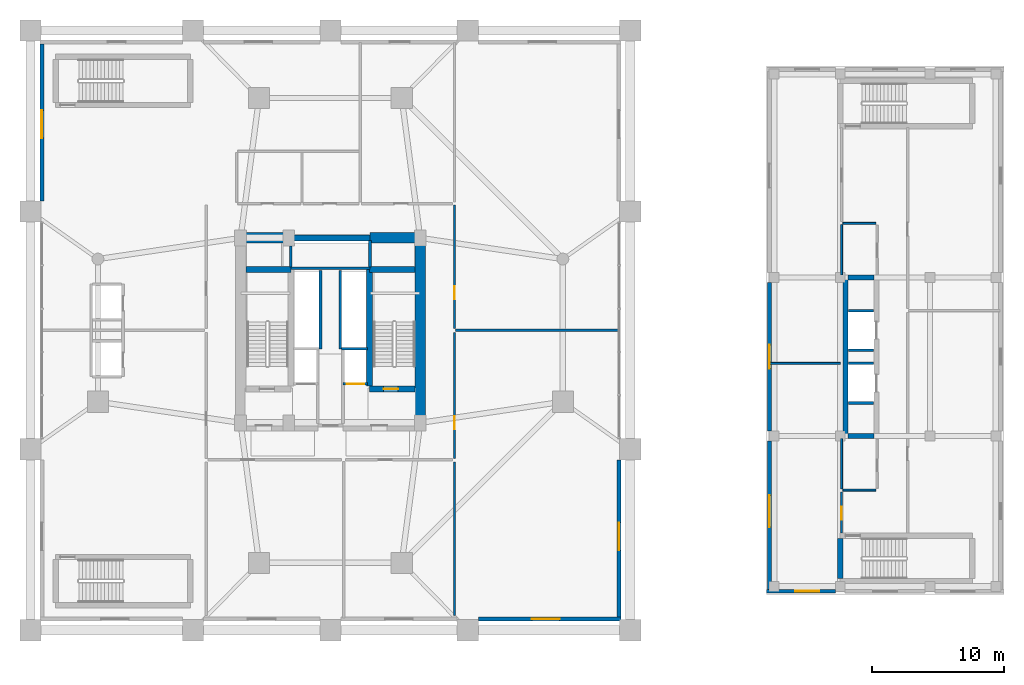
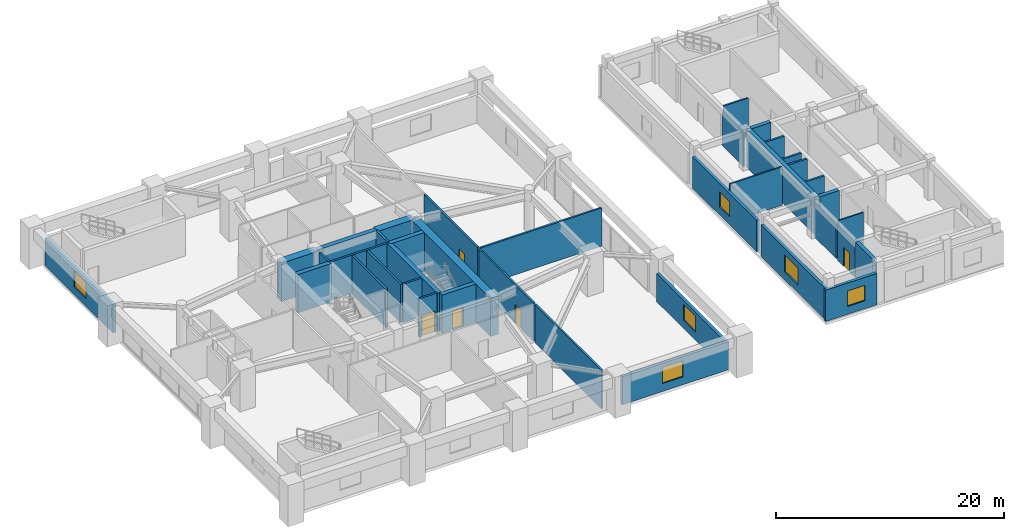
# One storey, part 15 of 22: 39 walls, 6 windows, 5 doors, 11 openings.
"""IFC4 building model written with IfcOpenShell, lengths in metres."""

from ifc_helpers import new_model, si_unit, direction, frame, frame_2d, origin, place, context, subcontext, project, spatial, rectangle, extrude, source, transform, mapped, material, layer, layer_set, type_object, element, fill, save


model = new_model("IFC4")

# Units and contexts
model_context = context("Model", 3, precision=1e-05, world=origin(), true_north=direction((0.0, 1.0)))
body_context = subcontext(model_context, "Body", "Model", "MODEL_VIEW")
ifc_project = project(units=[si_unit("LENGTHUNIT", "METRE"), si_unit("AREAUNIT", "SQUARE_METRE"), si_unit("VOLUMEUNIT", "CUBIC_METRE"), si_unit("PLANEANGLEUNIT", "RADIAN"), si_unit("MASSUNIT", "GRAM", prefix="KILO")], contexts=[model_context])

# Site, building, storey
site_placement = place(None, origin())
site = spatial("IfcSite", under=ifc_project, at=site_placement, CompositionType="ELEMENT")
building_placement = place(site_placement, origin())
building = spatial("IfcBuilding", under=site, at=building_placement, Name="Veraguas Prism Commons", CompositionType="ELEMENT")
storey_placement = place(building_placement, frame((0.0, 0.0, 5.199951171875)))
storey = spatial("IfcBuildingStorey", under=building, at=storey_placement, Name="L01", CompositionType="ELEMENT", Elevation=5.199951171875)

# Walls
ifc_material_1 = material(Name="Concrete C50/60", Category="concrete")
ifc_layer_1 = layer(ifc_material_1, 0.39990234375, Name="Clinic and Mid Core Shear Wall RC 400", Category="concrete")
ifc_layer_set_1 = layer_set([ifc_layer_1], Name="Concrete C50/60")
wall_type_1 = type_object("IfcWallType", Name="Clinic and Mid Core Shear Wall RC 400", PredefinedType="SHEAR", material=ifc_layer_set_1)
wall_1_placement = place(storey_placement, frame((63.0, 16.0, 0.0), z_axis=(0.0, 0.0, 1.0), x_axis=(0.0, 1.0, 0.0)))
element("IfcWall", 1, at=wall_1_placement, inside=storey, type_object=wall_type_1, Name="Health Centre Core West Shear Wall L01", PredefinedType="SHEAR", context=body_context, shape_type="SweptSolid", body=[
    extrude(rectangle(XDim=12.0, YDim=0.39990234375, at=frame_2d((6.0, 0.0))), origin(), (0.0, 0.0, 1.0), 4.10009765625),
])
for number, where, z_axis, x_axis, name in (
    (2, (63.199951171875, 16.0, 0.0), (0.0, 0.0, 1.0), (1.0, 0.0, 0.0), "Health Centre Core South Wall L01"),
    (3, (63.199951171875, 28.0, 0.0), (0.0, 0.0, 1.0), (1.0, 0.0, 0.0), "Health Centre Core North Wall L01"),
):
    element("IfcWall", number, at=place(storey_placement, frame(where, z_axis=z_axis, x_axis=x_axis)), inside=storey, type_object=wall_type_1, Name=name, PredefinedType="SHEAR", context=body_context, shape_type="SweptSolid", body=[
        extrude(rectangle(XDim=1.949951171875, YDim=0.39990234375, at=frame_2d((0.97509765625, 0.0))), origin(), (0.0, 0.0, 1.0), 4.10009765625),
    ])
wall_2_placement = place(storey_placement, frame((62.60009765625, 5.199951171875, 0.0), z_axis=(0.0, 0.0, 1.0), x_axis=(0.0, 1.0, 0.0)))
element("IfcWall", 4, at=wall_2_placement, inside=storey, type_object=wall_type_1, Name="ST-H1 West Shear Wall L01", PredefinedType="SHEAR", context=body_context, shape_type="SweptSolid", body=[
    extrude(rectangle(XDim=3.050048828125, YDim=0.39990234375, at=frame_2d((1.52490234375, 0.0))), origin(), (0.0, 0.0, 1.0), 4.10009765625),
])
ifc_material_2 = material(Name="Concrete C60/75", Category="concrete")
ifc_layer_2 = layer(ifc_material_2, 0.449951171875, Name="Core Internal Shear Wall Lower RC 450", Category="concrete")
ifc_layer_set_2 = layer_set([ifc_layer_2], Name="Concrete C60/75")
wall_type_2 = type_object("IfcWallType", Name="Core Internal Shear Wall Lower RC 450", PredefinedType="SHEAR", material=ifc_layer_set_2)
wall_3_placement = place(storey_placement, frame((21.0, 31.0, 0.0), z_axis=(0.0, 0.0, 1.0), x_axis=(1.0, 0.0, 0.0)))
element("IfcWall", 5, at=wall_3_placement, inside=storey, type_object=wall_type_2, Name="High-Rise Lift Bank Front Shear Wall L01", PredefinedType="SHEAR", context=body_context, shape_type="SweptSolid", body=[
    extrude(rectangle(XDim=6.0, YDim=0.449951171875, at=frame_2d((3.0, 0.0))), origin(), (0.0, 0.0, 1.0), 4.10009765625),
])

# Wall, opening, door
wall_4_placement = place(storey_placement, frame((26.97509765625, 19.574951171875, 0.0), z_axis=(0.0, 0.0, 1.0), x_axis=(1.0, 0.0, 0.0)))
wall_4 = element("IfcWall", 6, at=wall_4_placement, inside=storey, type_object=wall_type_2, Name="Stair ST-02 South Shear Wall L01", PredefinedType="SHEAR", context=body_context, shape_type="SweptSolid", body=[
    extrude(rectangle(XDim=3.4248046875, YDim=0.449951171875, at=frame_2d((1.71240234375, 0.0))), origin(), (0.0, 0.0, 1.0), 4.10009765625),
])
opening_1_placement = place(wall_4_placement, frame((1.050048828125, 0.0, 0.0)))
opening_1 = element("IfcOpeningElement", 7, at=opening_1_placement, cuts=wall_4, Name="Opening DR-05", PredefinedType="OPENING", context=body_context, shape_type="SweptSolid", body=[
    extrude(rectangle(XDim=1.10009765625, YDim=2.030029296875, at=frame_2d((0.550048828125, 1.01513671875))), frame((0.0, 0.23486328125, 0.0), z_axis=(0.0, -1.0, 0.0), x_axis=(1.0, 0.0, 0.0)), (0.0, 0.0, 1.0), 0.469970703125),
])
ifc_material_3 = material(Name="Steel fire-rated door assembly", Category="steel")
door_type_1 = type_object("IfcDoorType", Name="Protected Stair and Refuge Fire Door 1100x2030", OperationType="NOTDEFINED", PredefinedType="DOOR", material=ifc_material_3)
shared_shape_1 = source(origin(), body_context, "Body", "SweptSolid", [
    extrude(rectangle(XDim=1.10009765625, YDim=2.030029296875, at=frame_2d((0.550048828125, 1.01513671875))), frame((0.0, 0.02490234375, 0.0), z_axis=(0.0, -1.0, 0.0), x_axis=(1.0, 0.0, 0.0)), (0.0, 0.0, 1.0), 0.050048828125),
])
door_1_placement = place(opening_1_placement, origin())
door_1 = element("IfcDoor", 8, at=door_1_placement, inside=storey, type_object=door_type_1, Name="Stair ST-02 Enclosure Door L01", OperationType="SINGLE_SWING_RIGHT", OverallHeight=2.030029296875, OverallWidth=1.10009765625, PredefinedType="DOOR", context=body_context, shape_type="MappedRepresentation", body=[
    mapped(shared_shape_1, transform((0.0, 0.0, 0.0), scale=1.0)),
])
fill(opening_1, door_1)

# Walls
wall_5_placement = place(storey_placement, frame((26.97509765625, 19.800048828125, 0.0), z_axis=(0.0, 0.0, 1.0), x_axis=(0.0, 1.0, 0.0)))
element("IfcWall", 9, at=wall_5_placement, inside=storey, type_object=wall_type_2, Name="Stair ST-02 Inner Shear Wall L01", PredefinedType="SHEAR", context=body_context, shape_type="SweptSolid", body=[
    extrude(rectangle(XDim=8.824951171875, YDim=0.449951171875, at=frame_2d((4.41259765625, 0.0))), origin(), (0.0, 0.0, 1.0), 4.10009765625),
])
for number, where, z_axis, x_axis, name in (
    (10, (17.60009765625, 28.625, 0.0), (0.0, 0.0, 1.0), (1.0, 0.0, 0.0), "Stair ST-01 North Shear Wall L01"),
    (11, (26.97509765625, 28.625, 0.0), (0.0, 0.0, 1.0), (1.0, 0.0, 0.0), "Stair ST-02 North Shear Wall L01"),
):
    element("IfcWall", number, at=place(storey_placement, frame(where, z_axis=z_axis, x_axis=x_axis)), inside=storey, type_object=wall_type_2, Name=name, PredefinedType="SHEAR", context=body_context, shape_type="SweptSolid", body=[
        extrude(rectangle(XDim=3.4248046875, YDim=0.449951171875, at=frame_2d((1.71240234375, 0.0))), origin(), (0.0, 0.0, 1.0), 4.10009765625),
    ])
ifc_layer_3 = layer(ifc_material_2, 0.800048828125, Name="Core Outer Shear Wall Lower RC 800", Category="concrete")
ifc_layer_set_3 = layer_set([ifc_layer_3], Name="Concrete C60/75")
wall_type_3 = type_object("IfcWallType", Name="Core Outer Shear Wall Lower RC 800", PredefinedType="SHEAR", material=ifc_layer_set_3)
wall_6_placement = place(storey_placement, frame((30.800048828125, 16.800048828125, 0.0), z_axis=(0.0, 0.0, 1.0), x_axis=(0.0, 1.0, 0.0)))
element("IfcWall", 12, at=wall_6_placement, inside=storey, type_object=wall_type_3, Name="Central Core East Shear Wall L01", PredefinedType="SHEAR", context=body_context, shape_type="SweptSolid", body=[
    extrude(rectangle(XDim=14.199951171875, YDim=0.800048828125, at=frame_2d((7.10009765625, 0.0))), origin(), (0.0, 0.0, 1.0), 4.10009765625),
])
for number, where, z_axis, x_axis, name in (
    (13, (17.199951171875, 31.0, 0.0), (0.0, 0.0, 1.0), (1.0, 0.0, 0.0), "Central Core North-West Shear Wall L01"),
    (14, (27.0, 31.0, 0.0), (0.0, 0.0, 1.0), (1.0, 0.0, 0.0), "Central Core North-East Shear Wall L01"),
):
    element("IfcWall", number, at=place(storey_placement, frame(where, z_axis=z_axis, x_axis=x_axis)), inside=storey, type_object=wall_type_3, Name=name, PredefinedType="SHEAR", context=body_context, shape_type="SweptSolid", body=[
        extrude(rectangle(XDim=3.800048828125, YDim=0.800048828125, at=frame_2d((1.89990234375, 0.0))), origin(), (0.0, 0.0, 1.0), 4.10009765625),
    ])
ifc_material_4 = material(Name="Autoclaved aerated masonry block 10 MPa", Category="masonry")
ifc_layer_4 = layer(ifc_material_4, 0.179931640625, Name="Corridor and Inter-Tenancy Partition 180", Category="masonry")
ifc_layer_set_4 = layer_set([ifc_layer_4], Name="Autoclaved aerated masonry block 10 MPa")
wall_type_4 = type_object("IfcWallType", Name="Corridor and Inter-Tenancy Partition 180", PredefinedType="PARTITIONING", material=ifc_layer_set_4)
wall_7_placement = place(storey_placement, frame((33.39990234375, 2.39990234375, 0.0), z_axis=(0.0, 0.0, 1.0), x_axis=(0.0, 1.0, 0.0)))
element("IfcWall", 15, at=wall_7_placement, inside=storey, type_object=wall_type_4, Name="WL-L01-PDPT06E", PredefinedType="PARTITIONING", context=body_context, shape_type="SweptSolid", body=[
    extrude(rectangle(XDim=11.650146484375, YDim=0.179931640625, at=frame_2d((5.8251953125, 0.0))), origin(), (0.0, 0.0, 1.0), 4.10009765625),
])

# Wall, opening, door
wall_8_placement = place(storey_placement, frame((33.39990234375, 14.300048828125, 0.0), z_axis=(0.0, 0.0, 1.0), x_axis=(0.0, 1.0, 0.0)))
wall_8 = element("IfcWall", 16, at=wall_8_placement, inside=storey, type_object=wall_type_4, Name="WL-L01-PDPT07", PredefinedType="PARTITIONING", context=body_context, shape_type="SweptSolid", body=[
    extrude(rectangle(XDim=9.550048828125, YDim=0.179931640625, at=frame_2d((4.77490234375, 0.0))), origin(), (0.0, 0.0, 1.0), 4.10009765625),
])
opening_2_placement = place(wall_8_placement, frame((2.199951171875, 0.0, 0.0)))
opening_2 = element("IfcOpeningElement", 17, at=opening_2_placement, cuts=wall_8, Name="Opening DR-13", PredefinedType="OPENING", context=body_context, shape_type="SweptSolid", body=[
    extrude(rectangle(XDim=1.0, YDim=2.010009765625, at=frame_2d((0.5, 1.0048828125))), frame((0.0, 0.099853515625, 0.0), z_axis=(0.0, -1.0, 0.0), x_axis=(1.0, 0.0, 0.0)), (0.0, 0.0, 1.0), 0.199951171875),
])
door_type_2 = type_object("IfcDoorType", Name="Core Accessible WC and Clinic Fire Door 1000x2010", OperationType="NOTDEFINED", PredefinedType="DOOR", material=ifc_material_3)
shared_shape_2 = source(origin(), body_context, "Body", "SweptSolid", [
    extrude(rectangle(XDim=1.0, YDim=2.010009765625, at=frame_2d((0.5, 1.0048828125))), frame((0.0, 0.02490234375, 0.0), z_axis=(0.0, -1.0, 0.0), x_axis=(1.0, 0.0, 0.0)), (0.0, 0.0, 1.0), 0.050048828125),
])
door_2_placement = place(opening_2_placement, origin())
door_2 = element("IfcDoor", 18, at=door_2_placement, inside=storey, type_object=door_type_2, Name="Co-op Creche and Nursery Hall Door", OperationType="SINGLE_SWING_LEFT", OverallHeight=2.010009765625, OverallWidth=1.0, PredefinedType="DOOR", context=body_context, shape_type="MappedRepresentation", body=[
    mapped(shared_shape_2, transform((0.0, 0.0, 0.0), scale=1.0)),
])
fill(opening_2, door_2)

wall_9_placement = place(storey_placement, frame((33.39990234375, 24.14990234375, 0.0), z_axis=(0.0, 0.0, 1.0), x_axis=(0.0, 1.0, 0.0)))
wall_9 = element("IfcWall", 19, at=wall_9_placement, inside=storey, type_object=wall_type_4, Name="WL-L01-PDPT08", PredefinedType="PARTITIONING", context=body_context, shape_type="SweptSolid", body=[
    extrude(rectangle(XDim=9.35009765625, YDim=0.179931640625, at=frame_2d((4.675048828125, 0.0))), origin(), (0.0, 0.0, 1.0), 4.10009765625),
])
opening_3_placement = place(wall_9_placement, frame((2.199951171875, 0.0, 0.0)))
opening_3 = element("IfcOpeningElement", 20, at=opening_3_placement, cuts=wall_9, Name="Opening DR-13", PredefinedType="OPENING", context=body_context, shape_type="SweptSolid", body=[
    extrude(rectangle(XDim=1.0, YDim=2.010009765625, at=frame_2d((0.5, 1.0048828125))), frame((0.0, 0.099853515625, 0.0), z_axis=(0.0, -1.0, 0.0), x_axis=(1.0, 0.0, 0.0)), (0.0, 0.0, 1.0), 0.199951171875),
])
door_3_placement = place(opening_3_placement, origin())
door_3 = element("IfcDoor", 21, at=door_3_placement, inside=storey, type_object=door_type_2, Name="Early Childhood Playroom Door", OperationType="SINGLE_SWING_RIGHT", OverallHeight=2.010009765625, OverallWidth=1.0, PredefinedType="DOOR", context=body_context, shape_type="MappedRepresentation", body=[
    mapped(shared_shape_2, transform((0.0, 0.0, 0.0), scale=1.0)),
])
fill(opening_3, door_3)

# Wall
wall_10_placement = place(storey_placement, frame((33.47998046875, 24.0, 0.0), z_axis=(0.0, 0.0, 1.0), x_axis=(1.0, 0.0, 0.0)))
element("IfcWall", 22, at=wall_10_placement, inside=storey, type_object=wall_type_4, Name="WL-L01-PDPT09", PredefinedType="PARTITIONING", context=body_context, shape_type="SweptSolid", body=[
    extrude(rectangle(XDim=12.300048828125, YDim=0.179931640625, at=frame_2d((6.14990234375, 0.0))), origin(), (0.0, 0.0, 1.0), 4.10009765625),
])

# Wall, opening, door
wall_11_placement = place(storey_placement, frame((62.699951171875, 8.64990234375, 0.0), z_axis=(0.0, 0.0, 1.0), x_axis=(0.0, 1.0, 0.0)))
wall_11 = element("IfcWall", 23, at=wall_11_placement, inside=storey, type_object=wall_type_4, Name="WL-L01-HCPT05", PredefinedType="PARTITIONING", context=body_context, shape_type="SweptSolid", body=[
    extrude(rectangle(XDim=3.10009765625, YDim=0.179931640625, at=frame_2d((1.550048828125, 0.0))), origin(), (0.0, 0.0, 1.0), 3.5),
])
opening_4_placement = place(wall_11_placement, frame((1.0, 0.0, 0.0)))
opening_4 = element("IfcOpeningElement", 24, at=opening_4_placement, cuts=wall_11, Name="Opening DR-13", PredefinedType="OPENING", context=body_context, shape_type="SweptSolid", body=[
    extrude(rectangle(XDim=1.0, YDim=2.010009765625, at=frame_2d((0.5, 1.0048828125))), frame((0.0, 0.099853515625, 0.0), z_axis=(0.0, -1.0, 0.0), x_axis=(1.0, 0.0, 0.0)), (0.0, 0.0, 1.0), 0.199951171875),
])
door_4_placement = place(opening_4_placement, origin())
door_4 = element("IfcDoor", 25, at=door_4_placement, inside=storey, type_object=door_type_2, Name="Primary Care Waiting Lounge Door", OperationType="SINGLE_SWING_RIGHT", OverallHeight=2.010009765625, OverallWidth=1.0, PredefinedType="DOOR", context=body_context, shape_type="MappedRepresentation", body=[
    mapped(shared_shape_2, transform((0.0, 0.0, 0.0), scale=1.0)),
])
fill(opening_4, door_4)

# Wall, opening, window
ifc_material_5 = material(Name="Precast concrete C40/50", Category="concrete")
ifc_layer_5 = layer(ifc_material_5, 0.300048828125, Name="External Precast Facade Wall 300", Category="concrete")
ifc_layer_set_5 = layer_set([ifc_layer_5], Name="Precast concrete C40/50")
wall_type_5 = type_object("IfcWallType", Name="External Precast Facade Wall 300", PredefinedType="SOLIDWALL", material=ifc_layer_set_5)
wall_12_placement = place(storey_placement, frame((35.199951171875, 2.14990234375, 0.0), z_axis=(0.0, 0.0, 1.0), x_axis=(1.0, 0.0, 0.0)))
wall_12 = element("IfcWall", 26, at=wall_12_placement, inside=storey, type_object=wall_type_5, Name="Podium South Facade Wall L01-04", PredefinedType="SOLIDWALL", context=body_context, shape_type="SweptSolid", body=[
    extrude(rectangle(XDim=10.800048828125, YDim=0.300048828125, at=frame_2d((5.39990234375, 0.0))), origin(), (0.0, 0.0, 1.0), 3.0),
])
opening_5_placement = place(wall_12_placement, frame((4.050048828125, 0.0, 0.85009765625)))
opening_5 = element("IfcOpeningElement", 27, at=opening_5_placement, cuts=wall_12, Name="Opening WN-07", PredefinedType="OPENING", context=body_context, shape_type="SweptSolid", body=[
    extrude(rectangle(XDim=2.10009765625, YDim=1.75, at=frame_2d((1.050048828125, 0.875))), frame((0.0, 0.159912109375, 0.0), z_axis=(0.0, -1.0, 0.0), x_axis=(1.0, 0.0, 0.0)), (0.0, 0.0, 1.0), 0.320068359375),
])
ifc_material_6 = material(Name="Laminated low-e glass", Category="glass")
window_type_1 = type_object("IfcWindowType", Name="Podium Community Window 2100x1750", PartitioningType="DOUBLE_PANEL_VERTICAL", PredefinedType="WINDOW", material=ifc_material_6)
shared_shape_3 = source(origin(), body_context, "Body", "SweptSolid", [
    extrude(rectangle(XDim=2.10009765625, YDim=1.75, at=frame_2d((1.050048828125, 0.875))), frame((0.0, 0.030029296875, 0.0), z_axis=(0.0, -1.0, 0.0), x_axis=(1.0, 0.0, 0.0)), (0.0, 0.0, 1.0), 0.06005859375),
])
window_1_placement = place(opening_5_placement, origin())
window_1 = element("IfcWindow", 28, at=window_1_placement, inside=storey, type_object=window_type_1, Name="Podium South Window L01-04", OverallHeight=1.75, OverallWidth=2.10009765625, PartitioningType="DOUBLE_PANEL_VERTICAL", PredefinedType="WINDOW", context=body_context, shape_type="MappedRepresentation", body=[
    mapped(shared_shape_3, transform((0.0, 0.0, 0.0), scale=1.0)),
])
fill(opening_5, window_1)

wall_13_placement = place(storey_placement, frame((45.85009765625, 2.300048828125, 0.0), z_axis=(0.0, 0.0, 1.0), x_axis=(0.0, 1.0, 0.0)))
wall_13 = element("IfcWall", 29, at=wall_13_placement, inside=storey, type_object=wall_type_5, Name="Podium East Plaza Wall L01-01", PredefinedType="SOLIDWALL", context=body_context, shape_type="SweptSolid", body=[
    extrude(rectangle(XDim=11.89990234375, YDim=0.300048828125, at=frame_2d((5.949951171875, 0.0))), origin(), (0.0, 0.0, 1.0), 3.0),
])
opening_6_placement = place(wall_13_placement, frame((5.050048828125, 0.0, 0.85009765625)))
opening_6 = element("IfcOpeningElement", 30, at=opening_6_placement, cuts=wall_13, Name="Opening WN-07", PredefinedType="OPENING", context=body_context, shape_type="SweptSolid", body=[
    extrude(rectangle(XDim=2.10009765625, YDim=1.75, at=frame_2d((1.050048828125, 0.875))), frame((0.0, 0.159912109375, 0.0), z_axis=(0.0, -1.0, 0.0), x_axis=(1.0, 0.0, 0.0)), (0.0, 0.0, 1.0), 0.320068359375),
])
window_2_placement = place(opening_6_placement, origin())
window_2 = element("IfcWindow", 31, at=window_2_placement, inside=storey, type_object=window_type_1, Name="Podium East Window L01-01", OverallHeight=1.75, OverallWidth=2.10009765625, PartitioningType="DOUBLE_PANEL_VERTICAL", PredefinedType="WINDOW", context=body_context, shape_type="MappedRepresentation", body=[
    mapped(shared_shape_3, transform((0.0, 0.0, 0.0), scale=1.0)),
])
fill(opening_6, window_2)

wall_14_placement = place(storey_placement, frame((2.14990234375, 45.699951171875, 0.0), z_axis=(0.0, 0.0, 1.0), x_axis=(0.0, -1.0, 0.0)))
wall_14 = element("IfcWall", 32, at=wall_14_placement, inside=storey, type_object=wall_type_5, Name="Podium West Facade Wall L01-01", PredefinedType="SOLIDWALL", context=body_context, shape_type="SweptSolid", body=[
    extrude(rectangle(XDim=11.89990234375, YDim=0.300048828125, at=frame_2d((5.949951171875, 0.0))), origin(), (0.0, 0.0, 1.0), 3.0),
])
opening_7_placement = place(wall_14_placement, frame((5.050048828125, 0.0, 0.85009765625)))
opening_7 = element("IfcOpeningElement", 33, at=opening_7_placement, cuts=wall_14, Name="Opening WN-07", PredefinedType="OPENING", context=body_context, shape_type="SweptSolid", body=[
    extrude(rectangle(XDim=2.10009765625, YDim=1.75, at=frame_2d((1.050048828125, 0.875))), frame((0.0, 0.159912109375, 0.0), z_axis=(0.0, -1.0, 0.0), x_axis=(1.0, 0.0, 0.0)), (0.0, 0.0, 1.0), 0.320068359375),
])
window_3_placement = place(opening_7_placement, origin())
window_3 = element("IfcWindow", 34, at=window_3_placement, inside=storey, type_object=window_type_1, Name="Podium West Window L01-01", OverallHeight=1.75, OverallWidth=2.10009765625, PartitioningType="DOUBLE_PANEL_VERTICAL", PredefinedType="WINDOW", context=body_context, shape_type="MappedRepresentation", body=[
    mapped(shared_shape_3, transform((0.0, 0.0, 0.0), scale=1.0)),
])
fill(opening_7, window_3)

wall_15_placement = place(storey_placement, frame((57.0, 4.25, 0.0), z_axis=(0.0, 0.0, 1.0), x_axis=(1.0, 0.0, 0.0)))
wall_15 = element("IfcWall", 35, at=wall_15_placement, inside=storey, type_object=wall_type_5, Name="Health Centre South Wall L01-01", PredefinedType="SOLIDWALL", context=body_context, shape_type="SweptSolid", body=[
    extrude(rectangle(XDim=5.22509765625, YDim=0.300048828125, at=frame_2d((2.612548828125, 0.0))), origin(), (0.0, 0.0, 1.0), 3.35009765625),
])
opening_8_placement = place(wall_15_placement, frame((2.199951171875, 0.0, 0.85009765625)))
opening_8 = element("IfcOpeningElement", 36, at=opening_8_placement, cuts=wall_15, Name="Opening WN-01", PredefinedType="OPENING", context=body_context, shape_type="SweptSolid", body=[
    extrude(rectangle(XDim=1.800048828125, YDim=1.64990234375, at=frame_2d((0.89990234375, 0.824951171875))), frame((0.0, 0.159912109375, 0.0), z_axis=(0.0, -1.0, 0.0), x_axis=(1.0, 0.0, 0.0)), (0.0, 0.0, 1.0), 0.320068359375),
])
window_type_2 = type_object("IfcWindowType", Name="Clinic Consulting Double Window 1800x1650", PartitioningType="DOUBLE_PANEL_VERTICAL", PredefinedType="WINDOW", material=ifc_material_6)
shared_shape_4 = source(origin(), body_context, "Body", "SweptSolid", [
    extrude(rectangle(XDim=1.800048828125, YDim=1.64990234375, at=frame_2d((0.89990234375, 0.824951171875))), frame((0.0, 0.030029296875, 0.0), z_axis=(0.0, -1.0, 0.0), x_axis=(1.0, 0.0, 0.0)), (0.0, 0.0, 1.0), 0.06005859375),
])
window_4_placement = place(opening_8_placement, origin())
window_4 = element("IfcWindow", 37, at=window_4_placement, inside=storey, type_object=window_type_2, Name="Health Centre South Window L01-01", OverallHeight=1.64990234375, OverallWidth=1.800048828125, PartitioningType="DOUBLE_PANEL_VERTICAL", PredefinedType="WINDOW", context=body_context, shape_type="MappedRepresentation", body=[
    mapped(shared_shape_4, transform((0.0, 0.0, 0.0), scale=1.0)),
])
fill(opening_8, window_4)

wall_16_placement = place(storey_placement, frame((57.25, 27.625, 0.0), z_axis=(0.0, 0.0, 1.0), x_axis=(0.0, -1.0, 0.0)))
wall_16 = element("IfcWall", 38, at=wall_16_placement, inside=storey, type_object=wall_type_5, Name="Health Centre West Plaza Wall L01-02", PredefinedType="SOLIDWALL", context=body_context, shape_type="SweptSolid", body=[
    extrude(rectangle(XDim=11.25, YDim=0.300048828125, at=frame_2d((5.625, 0.0))), origin(), (0.0, 0.0, 1.0), 3.35009765625),
])
opening_9_placement = place(wall_16_placement, frame((4.72509765625, 0.0, 0.85009765625)))
opening_9 = element("IfcOpeningElement", 39, at=opening_9_placement, cuts=wall_16, Name="Opening WN-01", PredefinedType="OPENING", context=body_context, shape_type="SweptSolid", body=[
    extrude(rectangle(XDim=1.800048828125, YDim=1.64990234375, at=frame_2d((0.89990234375, 0.824951171875))), frame((0.0, 0.159912109375, 0.0), z_axis=(0.0, -1.0, 0.0), x_axis=(1.0, 0.0, 0.0)), (0.0, 0.0, 1.0), 0.320068359375),
])
window_5_placement = place(opening_9_placement, origin())
window_5 = element("IfcWindow", 40, at=window_5_placement, inside=storey, type_object=window_type_2, Name="Health Centre West Window L01-02", OverallHeight=1.64990234375, OverallWidth=1.800048828125, PartitioningType="DOUBLE_PANEL_VERTICAL", PredefinedType="WINDOW", context=body_context, shape_type="MappedRepresentation", body=[
    mapped(shared_shape_4, transform((0.0, 0.0, 0.0), scale=1.0)),
])
fill(opening_9, window_5)

wall_17_placement = place(storey_placement, frame((57.25, 15.625, 0.0), z_axis=(0.0, 0.0, 1.0), x_axis=(0.0, -1.0, 0.0)))
wall_17 = element("IfcWall", 41, at=wall_17_placement, inside=storey, type_object=wall_type_5, Name="Health Centre West Plaza Wall L01-03", PredefinedType="SOLIDWALL", context=body_context, shape_type="SweptSolid", body=[
    extrude(rectangle(XDim=11.22509765625, YDim=0.300048828125, at=frame_2d((5.612548828125, 0.0))), origin(), (0.0, 0.0, 1.0), 3.35009765625),
])
opening_10_placement = place(wall_17_placement, frame((4.125, 0.0, 0.85009765625)))
opening_10 = element("IfcOpeningElement", 42, at=opening_10_placement, cuts=wall_17, Name="Opening WN-02", PredefinedType="OPENING", context=body_context, shape_type="SweptSolid", body=[
    extrude(rectangle(XDim=2.39990234375, YDim=1.800048828125, at=frame_2d((1.199951171875, 0.89990234375))), frame((0.0, 0.159912109375, 0.0), z_axis=(0.0, -1.0, 0.0), x_axis=(1.0, 0.0, 0.0)), (0.0, 0.0, 1.0), 0.320068359375),
])
window_type_3 = type_object("IfcWindowType", Name="Clinic Waiting Fixed Window 2400x1800", PartitioningType="SINGLE_PANEL", PredefinedType="WINDOW", material=ifc_material_6)
shared_shape_5 = source(origin(), body_context, "Body", "SweptSolid", [
    extrude(rectangle(XDim=2.39990234375, YDim=1.800048828125, at=frame_2d((1.199951171875, 0.89990234375))), frame((0.0, 0.030029296875, 0.0), z_axis=(0.0, -1.0, 0.0), x_axis=(1.0, 0.0, 0.0)), (0.0, 0.0, 1.0), 0.06005859375),
])
window_6_placement = place(opening_10_placement, origin())
window_6 = element("IfcWindow", 43, at=window_6_placement, inside=storey, type_object=window_type_3, Name="Health Centre West Window L01-03", OverallHeight=1.800048828125, OverallWidth=2.39990234375, PartitioningType="SINGLE_PANEL", PredefinedType="WINDOW", context=body_context, shape_type="MappedRepresentation", body=[
    mapped(shared_shape_5, transform((0.0, 0.0, 0.0), scale=1.0)),
])
fill(opening_10, window_6)

# Wall, opening, door
ifc_layer_6 = layer(ifc_material_4, 0.199951171875, Name="Rated Shaft and Lobby Block Wall 200", Category="masonry")
ifc_layer_set_6 = layer_set([ifc_layer_6], Name="Autoclaved aerated masonry block 10 MPa")
wall_type_6 = type_object("IfcWallType", Name="Rated Shaft and Lobby Block Wall 200", PredefinedType="SOLIDWALL", material=ifc_layer_set_6)
wall_18_placement = place(storey_placement, frame((24.949951171875, 19.949951171875, 0.0), z_axis=(0.0, 0.0, 1.0), x_axis=(1.0, 0.0, 0.0)))
wall_18 = element("IfcWall", 44, at=wall_18_placement, inside=storey, type_object=wall_type_6, Name="Firefighting Lift FFL-2 Front Wall L01", PredefinedType="SOLIDWALL", context=body_context, shape_type="SweptSolid", body=[
    extrude(rectangle(XDim=1.85009765625, YDim=0.199951171875, at=frame_2d((0.925048828125, 0.0))), origin(), (0.0, 0.0, 1.0), 4.10009765625),
])
opening_11_placement = place(wall_18_placement, frame((0.300048828125, 0.0, 0.0)))
opening_11 = element("IfcOpeningElement", 45, at=opening_11_placement, cuts=wall_18, Name="Opening LD-02", PredefinedType="OPENING", context=body_context, shape_type="SweptSolid", body=[
    extrude(rectangle(XDim=1.300048828125, YDim=2.25, at=frame_2d((0.64990234375, 1.125))), frame((0.0, 0.10986328125, 0.0), z_axis=(0.0, -1.0, 0.0), x_axis=(1.0, 0.0, 0.0)), (0.0, 0.0, 1.0), 0.219970703125),
])
ifc_material_7 = material(Name="Stainless steel AISI 316", Category="steel")
door_type_3 = type_object("IfcDoorType", Name="Firefighting Lift Sliding Landing Door 1300x2250", OperationType="NOTDEFINED", PredefinedType="DOOR", material=ifc_material_7)
shared_shape_6 = source(origin(), body_context, "Body", "SweptSolid", [
    extrude(rectangle(XDim=1.300048828125, YDim=2.25, at=frame_2d((0.64990234375, 1.125))), frame((0.0, 0.02490234375, 0.0), z_axis=(0.0, -1.0, 0.0), x_axis=(1.0, 0.0, 0.0)), (0.0, 0.0, 1.0), 0.050048828125),
])
door_5_placement = place(opening_11_placement, origin())
door_5 = element("IfcDoor", 46, at=door_5_placement, inside=storey, type_object=door_type_3, Name="Firefighting Lift FFL-2 Front Wall L01", OperationType="SLIDING_TO_LEFT", OverallHeight=2.25, OverallWidth=1.300048828125, PredefinedType="DOOR", context=body_context, shape_type="MappedRepresentation", body=[
    mapped(shared_shape_6, transform((0.0, 0.0, 0.0), scale=1.0)),
])
fill(opening_11, door_5)

# Walls
wall_19_placement = place(storey_placement, frame((24.85009765625, 22.60009765625, 0.0), z_axis=(0.0, 0.0, 1.0), x_axis=(1.0, 0.0, 0.0)))
element("IfcWall", 47, at=wall_19_placement, inside=storey, type_object=wall_type_6, Name="Firefighting Lift FFL-2 Rear Wall L01", PredefinedType="SOLIDWALL", context=body_context, shape_type="SweptSolid", body=[
    extrude(rectangle(XDim=1.949951171875, YDim=0.199951171875, at=frame_2d((0.97509765625, 0.0))), origin(), (0.0, 0.0, 1.0), 4.10009765625),
])
wall_20_placement = place(storey_placement, frame((21.0, 28.699951171875, 0.0), z_axis=(0.0, 0.0, 1.0), x_axis=(1.0, 0.0, 0.0)))
element("IfcWall", 48, at=wall_20_placement, inside=storey, type_object=wall_type_6, Name="High-Rise Lift Bank Rear Shaft Wall L01", PredefinedType="SOLIDWALL", context=body_context, shape_type="SweptSolid", body=[
    extrude(rectangle(XDim=6.0, YDim=0.199951171875, at=frame_2d((3.0, 0.0))), origin(), (0.0, 0.0, 1.0), 4.10009765625),
])
wall_21_placement = place(storey_placement, frame((21.0, 28.800048828125, 0.0), z_axis=(0.0, 0.0, 1.0), x_axis=(0.0, 1.0, 0.0)))
element("IfcWall", 49, at=wall_21_placement, inside=storey, type_object=wall_type_6, Name="High-Rise Lift Bank West Shaft Wall L01", PredefinedType="SOLIDWALL", context=body_context, shape_type="SweptSolid", body=[
    extrude(rectangle(XDim=1.599853515625, YDim=0.199951171875, at=frame_2d((0.7998046875, 0.0))), origin(), (0.0, 0.0, 1.0), 4.10009765625),
])
wall_22_placement = place(storey_placement, frame((27.0, 28.800048828125, 0.0), z_axis=(0.0, 0.0, 1.0), x_axis=(0.0, 1.0, 0.0)))
element("IfcWall", 50, at=wall_22_placement, inside=storey, type_object=wall_type_6, Name="High-Rise Lift Bank East Shaft Wall L01", PredefinedType="SOLIDWALL", context=body_context, shape_type="SweptSolid", body=[
    extrude(rectangle(XDim=2.0, YDim=0.199951171875, at=frame_2d((1.0, 0.0))), origin(), (0.0, 0.0, 1.0), 4.10009765625),
])
for number, where, z_axis, x_axis, name in (
    (51, (23.25, 22.60009765625, 0.0), (0.0, 0.0, 1.0), (0.0, 1.0, 0.0), "Low-Rise Lift Bank Front Wall L01"),
    (52, (24.75, 22.60009765625, 0.0), (0.0, 0.0, 1.0), (0.0, 1.0, 0.0), "Mid-Rise Lift Bank Front Wall L01"),
):
    element("IfcWall", number, at=place(storey_placement, frame(where, z_axis=z_axis, x_axis=x_axis)), inside=storey, type_object=wall_type_6, Name=name, PredefinedType="SOLIDWALL", context=body_context, shape_type="SweptSolid", body=[
        extrude(rectangle(XDim=5.949951171875, YDim=0.199951171875, at=frame_2d((2.97509765625, 0.0))), origin(), (0.0, 0.0, 1.0), 4.10009765625),
    ])
for number, where, z_axis, x_axis, name in (
    (53, (63.219970703125, 18.5, 0.0), (0.0, 0.0, 1.0), (1.0, 0.0, 0.0), "Health Centre Lift Shaft Divider Wall L01-CL1S"),
    (54, (63.219970703125, 21.5, 0.0), (0.0, 0.0, 1.0), (1.0, 0.0, 0.0), "Health Centre Lift Shaft Divider Wall L01-CL1N"),
    (55, (63.219970703125, 22.5, 0.0), (0.0, 0.0, 1.0), (1.0, 0.0, 0.0), "Health Centre Lift Shaft Divider Wall L01-CL2S"),
    (56, (63.219970703125, 25.5, 0.0), (0.0, 0.0, 1.0), (1.0, 0.0, 0.0), "Health Centre Lift Shaft Divider Wall L01-CL2N"),
):
    element("IfcWall", number, at=place(storey_placement, frame(where, z_axis=z_axis, x_axis=x_axis)), inside=storey, type_object=wall_type_6, Name=name, PredefinedType="SOLIDWALL", context=body_context, shape_type="SweptSolid", body=[
        extrude(rectangle(XDim=1.909912109375, YDim=0.199951171875, at=frame_2d((0.955078125, 0.0))), origin(), (0.0, 0.0, 1.0), 4.10009765625),
    ])
ifc_material_8 = material(Name="Lightweight acoustic gypsum board")
ifc_layer_7 = layer(ifc_material_8, 0.14990234375, Name="Wet Room and Clinic Acoustic Partition 150")
ifc_layer_set_7 = layer_set([ifc_layer_7], Name="Lightweight acoustic gypsum board")
wall_type_7 = type_object("IfcWallType", Name="Wet Room and Clinic Acoustic Partition 150", PredefinedType="PARTITIONING", material=ifc_layer_set_7)
wall_23_placement = place(storey_placement, frame((62.800048828125, 11.89990234375, 0.0), z_axis=(0.0, 0.0, 1.0), x_axis=(1.0, 0.0, 0.0)))
element("IfcWall", 57, at=wall_23_placement, inside=storey, type_object=wall_type_7, Name="WL-L01-HCPT01", PredefinedType="PARTITIONING", context=body_context, shape_type="SweptSolid", body=[
    extrude(rectangle(XDim=2.5, YDim=0.14990234375, at=frame_2d((1.25, 0.0))), origin(), (0.0, 0.0, 1.0), 4.10009765625),
])
wall_24_placement = place(storey_placement, frame((62.699951171875, 12.0, 0.0), z_axis=(0.0, 0.0, 1.0), x_axis=(0.0, 1.0, 0.0)))
element("IfcWall", 58, at=wall_24_placement, inside=storey, type_object=wall_type_7, Name="WL-L01-HCPT01W", PredefinedType="PARTITIONING", context=body_context, shape_type="SweptSolid", body=[
    extrude(rectangle(XDim=3.800048828125, YDim=0.14990234375, at=frame_2d((1.89990234375, 0.0))), origin(), (0.0, 0.0, 1.0), 3.5),
])
wall_25_placement = place(storey_placement, frame((62.800048828125, 32.10009765625, 0.0), z_axis=(0.0, 0.0, 1.0), x_axis=(1.0, 0.0, 0.0)))
element("IfcWall", 59, at=wall_25_placement, inside=storey, type_object=wall_type_7, Name="WL-L01-HCPT03", PredefinedType="PARTITIONING", context=body_context, shape_type="SweptSolid", body=[
    extrude(rectangle(XDim=2.5, YDim=0.14990234375, at=frame_2d((1.25, 0.0))), origin(), (0.0, 0.0, 1.0), 4.10009765625),
])
wall_26_placement = place(storey_placement, frame((62.699951171875, 28.199951171875, 0.0), z_axis=(0.0, 0.0, 1.0), x_axis=(0.0, 1.0, 0.0)))
element("IfcWall", 60, at=wall_26_placement, inside=storey, type_object=wall_type_7, Name="WL-L01-HCPT03W", PredefinedType="PARTITIONING", context=body_context, shape_type="SweptSolid", body=[
    extrude(rectangle(XDim=3.800048828125, YDim=0.14990234375, at=frame_2d((1.89990234375, 0.0))), origin(), (0.0, 0.0, 1.0), 3.5),
])
wall_27_placement = place(storey_placement, frame((57.320068359375, 21.5, 0.0), z_axis=(0.0, 0.0, 1.0), x_axis=(1.0, 0.0, 0.0)))
element("IfcWall", 61, at=wall_27_placement, inside=storey, type_object=wall_type_7, Name="WL-L01-HCPT07", PredefinedType="PARTITIONING", context=body_context, shape_type="SweptSolid", body=[
    extrude(rectangle(XDim=5.300048828125, YDim=0.14990234375, at=frame_2d((2.64990234375, 0.0))), origin(), (0.0, 0.0, 1.0), 4.10009765625),
])

save(model, "model.ifc")
